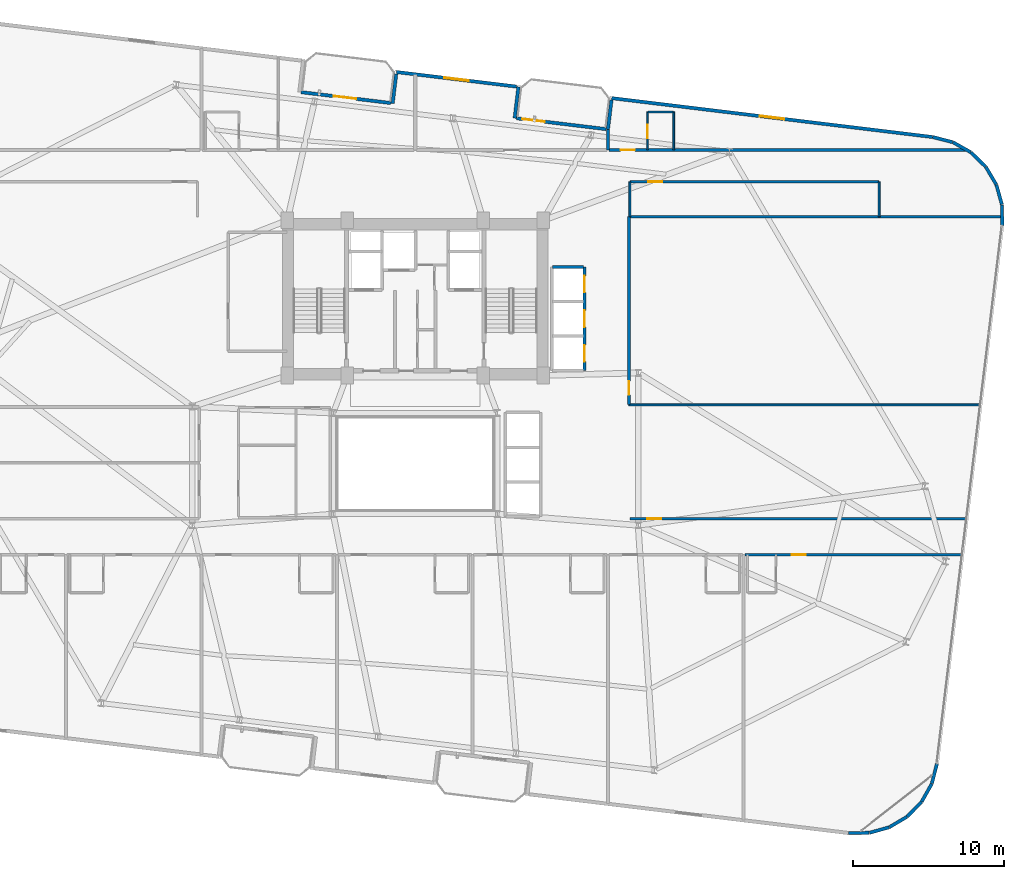
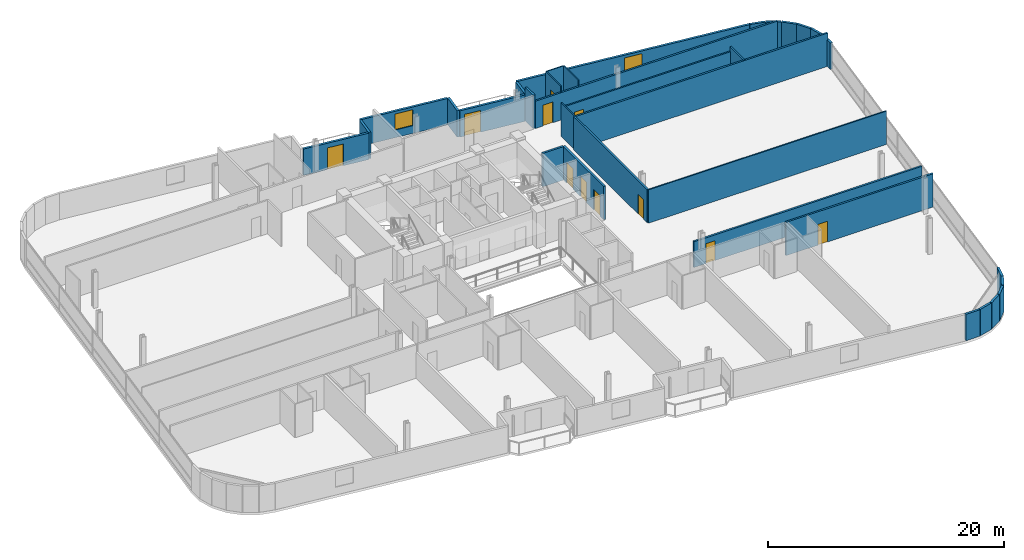
# One storey, part 23 of 26: 34 walls, 11 doors, 2 windows, 13 openings.
"""IFC4 building model written with IfcOpenShell, lengths in metres."""

from ifc_helpers import new_model, si_unit, direction, frame, frame_2d, origin, place, context, subcontext, project, spatial, rectangle, extrude, material, layer, layer_set, type_object, element, fill, save


model = new_model("IFC4")

# Units and contexts
model_context = context("Model", 3, precision=1e-05, world=origin(), true_north=direction((0.0, 1.0)))
body_context = subcontext(model_context, "Body", "Model", "MODEL_VIEW")
ifc_project = project(units=[si_unit("LENGTHUNIT", "METRE"), si_unit("AREAUNIT", "SQUARE_METRE"), si_unit("VOLUMEUNIT", "CUBIC_METRE"), si_unit("PLANEANGLEUNIT", "RADIAN"), si_unit("MASSUNIT", "GRAM", prefix="KILO")], contexts=[model_context])

# Site, building, storey
site_placement = place(None, origin())
site = spatial("IfcSite", under=ifc_project, at=site_placement, CompositionType="ELEMENT")
building_placement = place(site_placement, origin())
building = spatial("IfcBuilding", under=site, at=building_placement, Name="Varnelok Gate Tower", CompositionType="ELEMENT")
storey_placement = place(building_placement, frame((0.0, 0.0, 151.300048828125)))
storey = spatial("IfcBuildingStorey", under=building, at=storey_placement, Name="L38", CompositionType="ELEMENT", Elevation=151.300048828125)

# Wall, opening, door
ifc_material_1 = material(Name="Concrete C45/55", Category="concrete")
ifc_layer_1 = layer(ifc_material_1, 0.219970703125)
ifc_layer_set_1 = layer_set([ifc_layer_1], Name="Concrete C45/55")
wall_type_1 = type_object("IfcWallType", Name="EW-BALC-220", PredefinedType="SOLIDWALL", material=ifc_layer_set_1)
wall_1_placement = place(storey_placement, frame((31.624267578125, 47.5634765625, 0.0), z_axis=(0.0, 0.0, 1.0), x_axis=(0.992729951822, -0.120362962556, 0.0)))
wall_1 = element("IfcWall", 1, at=wall_1_placement, inside=storey, type_object=wall_type_1, Name="L38 North Terrace Envelope Wall 3", PredefinedType="SOLIDWALL", context=body_context, shape_type="SweptSolid", body=[
    extrude(rectangle(XDim=6.0, YDim=0.219970703125, at=frame_2d((3.0, 0.0))), origin(), (0.0, 0.0, 1.0), 2.72998046875),
])
opening_1_placement = place(wall_1_placement, frame((2.176025390625, 0.0, 0.0)))
opening_1 = element("IfcOpeningElement", 2, at=opening_1_placement, cuts=wall_1, Name="Opening BD-1", PredefinedType="OPENING", context=body_context, shape_type="SweptSolid", body=[
    extrude(rectangle(XDim=1.5, YDim=2.25, at=frame_2d((0.75, 1.125))), frame((0.0, 0.119873046875, 0.0), z_axis=(0.0, -1.0, 0.0), x_axis=(1.0, 0.0, 0.0)), (0.0, 0.0, 1.0), 0.239990234375),
])
ifc_material_2 = material(Name="Anodized Aluminum Alloy 6063-T6", Category="aluminium")
door_type_1 = type_object("IfcDoorType", Name="DR-EXT-BALC1500", OperationType="NOTDEFINED", PredefinedType="DOOR", material=ifc_material_2)
door_1_placement = place(opening_1_placement, origin())
door_1 = element("IfcDoor", 3, at=door_1_placement, inside=storey, type_object=door_type_1, Name="L38 North Balcony Glazed Door 3", OperationType="SINGLE_SWING_RIGHT", OverallHeight=2.25, OverallWidth=1.5, PredefinedType="DOOR", context=body_context, shape_type="SweptSolid", body=[
    extrude(rectangle(XDim=1.5, YDim=2.25, at=frame_2d((0.75, 1.125))), frame((0.0, 0.02490234375, 0.0), z_axis=(0.0, -1.0, 0.0), x_axis=(1.0, 0.0, 0.0)), (0.0, 0.0, 1.0), 0.050048828125),
])
fill(opening_1, door_1)

wall_2_placement = place(storey_placement, frame((45.919677734375, 45.83056640625, 0.0), z_axis=(0.0, 0.0, 1.0), x_axis=(0.992729951822, -0.120362962556, 0.0)))
wall_2 = element("IfcWall", 4, at=wall_2_placement, inside=storey, type_object=wall_type_1, Name="L38 North Terrace Envelope Wall 4", PredefinedType="SOLIDWALL", context=body_context, shape_type="SweptSolid", body=[
    extrude(rectangle(XDim=6.0, YDim=0.219970703125, at=frame_2d((3.0, 0.0))), origin(), (0.0, 0.0, 1.0), 2.72998046875),
])
opening_2_placement = place(wall_2_placement, frame((0.39990234375, 0.0, 0.0)))
opening_2 = element("IfcOpeningElement", 5, at=opening_2_placement, cuts=wall_2, Name="Opening BD-1", PredefinedType="OPENING", context=body_context, shape_type="SweptSolid", body=[
    extrude(rectangle(XDim=1.5, YDim=2.25, at=frame_2d((0.75, 1.125))), frame((0.0, 0.119873046875, 0.0), z_axis=(0.0, -1.0, 0.0), x_axis=(1.0, 0.0, 0.0)), (0.0, 0.0, 1.0), 0.239990234375),
])
door_2_placement = place(opening_2_placement, origin())
door_2 = element("IfcDoor", 6, at=door_2_placement, inside=storey, type_object=door_type_1, Name="L38 North Balcony Glazed Door 4", OperationType="SINGLE_SWING_LEFT", OverallHeight=2.25, OverallWidth=1.5, PredefinedType="DOOR", context=body_context, shape_type="SweptSolid", body=[
    extrude(rectangle(XDim=1.5, YDim=2.25, at=frame_2d((0.75, 1.125))), frame((0.0, 0.02490234375, 0.0), z_axis=(0.0, -1.0, 0.0), x_axis=(1.0, 0.0, 0.0)), (0.0, 0.0, 1.0), 0.050048828125),
])
fill(opening_2, door_2)

# Walls
wall_3_placement = place(storey_placement, frame((67.984375, -1.63671875, 0.0), z_axis=(0.0, 0.0, 1.0), x_axis=(0.999945887077, 0.010403024475, 0.0)))
element("IfcWall", 7, at=wall_3_placement, inside=storey, type_object=wall_type_1, Name="L38 Perimeter Facade Closure Wall 14", PredefinedType="SOLIDWALL", context=body_context, shape_type="SweptSolid", body=[
    extrude(rectangle(XDim=1.361083984375, YDim=0.219970703125, at=frame_2d((0.6806640625, 0.0))), origin(), (0.0, 0.0, 1.0), 2.72998046875),
])
wall_4_placement = place(storey_placement, frame((69.369384765625, -1.615966796875, 0.0), z_axis=(0.0, 0.0, 1.0), x_axis=(0.963194128812, 0.268806752562, 0.0)))
element("IfcWall", 8, at=wall_4_placement, inside=storey, type_object=wall_type_1, Name="L38 Perimeter Facade Closure Wall 15", PredefinedType="SOLIDWALL", context=body_context, shape_type="SweptSolid", body=[
    extrude(rectangle(XDim=1.353271484375, YDim=0.219970703125, at=frame_2d((0.6767578125, 0.0))), origin(), (0.0, 0.0, 1.0), 2.72998046875),
])
for number, where, z_axis, x_axis, name in (
    (9, (70.6943359375, -1.239501953125, 0.0), (0.0, 0.0, 1.0), (0.860865455241, 0.508832652228, 0.0), "L38 Perimeter Facade Closure Wall 16"),
    (10, (71.876708984375, -0.533203125, 0.0), (0.0, 0.0, 1.0), (0.69976104234, 0.714376989847, 0.0), "L38 Perimeter Facade Closure Wall 17"),
    (11, (72.835693359375, 0.455078125, 0.0), (0.0, 0.0, 1.0), (0.491117621399, 0.871093268227, 0.0), "L38 Perimeter Facade Closure Wall 18"),
):
    element("IfcWall", number, at=place(storey_placement, frame(where, z_axis=z_axis, x_axis=x_axis)), inside=storey, type_object=wall_type_1, Name=name, PredefinedType="SOLIDWALL", context=body_context, shape_type="SweptSolid", body=[
        extrude(rectangle(XDim=1.35302734375, YDim=0.219970703125, at=frame_2d((0.676513671875, 0.0))), origin(), (0.0, 0.0, 1.0), 2.72998046875),
    ])
wall_5_placement = place(storey_placement, frame((73.506591796875, 1.658203125, 0.0), z_axis=(0.0, 0.0, 1.0), x_axis=(0.248857256909, 0.968540172468, 0.0)))
element("IfcWall", 12, at=wall_5_placement, inside=storey, type_object=wall_type_1, Name="L38 Perimeter Facade Closure Wall 19", PredefinedType="SOLIDWALL", context=body_context, shape_type="SweptSolid", body=[
    extrude(rectangle(XDim=1.352783203125, YDim=0.219970703125, at=frame_2d((0.67626953125, 0.0))), origin(), (0.0, 0.0, 1.0), 2.72998046875),
])
wall_6_placement = place(storey_placement, frame((78.175537109375, 38.706787109375, 0.0), z_axis=(0.0, 0.0, 1.0), x_axis=(-0.010096916637, 0.999949024838, 0.0)))
element("IfcWall", 13, at=wall_6_placement, inside=storey, type_object=wall_type_1, Name="L38 Perimeter Facade Closure Wall 20", PredefinedType="SOLIDWALL", context=body_context, shape_type="SweptSolid", body=[
    extrude(rectangle(XDim=1.378173828125, YDim=0.219970703125, at=frame_2d((0.68896484375, 0.0))), origin(), (0.0, 0.0, 1.0), 2.72998046875),
])
wall_7_placement = place(storey_placement, frame((78.15478515625, 40.10888671875, 0.0), z_axis=(0.0, 0.0, 1.0), x_axis=(-0.268639368869, 0.963240826322, 0.0)))
element("IfcWall", 14, at=wall_7_placement, inside=storey, type_object=wall_type_1, Name="L38 Perimeter Facade Closure Wall 21", PredefinedType="SOLIDWALL", context=body_context, shape_type="SweptSolid", body=[
    extrude(rectangle(XDim=1.353271484375, YDim=0.219970703125, at=frame_2d((0.6767578125, 0.0))), origin(), (0.0, 0.0, 1.0), 2.72998046875),
])
for number, where, z_axis, x_axis, name in (
    (15, (77.7783203125, 41.433837890625, 0.0), (0.0, 0.0, 1.0), (-0.508698913794, 0.860944490142, 0.0), "L38 Perimeter Facade Closure Wall 22"),
    (16, (77.072265625, 42.6162109375, 0.0), (0.0, 0.0, 1.0), (-0.714376989847, 0.69976104234, 0.0), "L38 Perimeter Facade Closure Wall 23"),
    (17, (76.083740234375, 43.5751953125, 0.0), (0.0, 0.0, 1.0), (-0.871093268227, 0.491117621399, 0.0), "L38 Perimeter Facade Closure Wall 24"),
):
    element("IfcWall", number, at=place(storey_placement, frame(where, z_axis=z_axis, x_axis=x_axis)), inside=storey, type_object=wall_type_1, Name=name, PredefinedType="SOLIDWALL", context=body_context, shape_type="SweptSolid", body=[
        extrude(rectangle(XDim=1.35302734375, YDim=0.219970703125, at=frame_2d((0.676513671875, 0.0))), origin(), (0.0, 0.0, 1.0), 2.72998046875),
    ])
wall_8_placement = place(storey_placement, frame((74.880859375, 44.24609375, 0.0), z_axis=(0.0, 0.0, 1.0), x_axis=(-0.968549775063, 0.248819881091, 0.0)))
element("IfcWall", 18, at=wall_8_placement, inside=storey, type_object=wall_type_1, Name="L38 Perimeter Facade Closure Wall 25", PredefinedType="SOLIDWALL", context=body_context, shape_type="SweptSolid", body=[
    extrude(rectangle(XDim=1.36083984375, YDim=0.219970703125, at=frame_2d((0.680419921875, 0.0))), origin(), (0.0, 0.0, 1.0), 2.72998046875),
])

# Wall, opening, window
wall_9_placement = place(storey_placement, frame((73.537841796875, 44.587890625, 0.0), z_axis=(0.0, 0.0, 1.0), x_axis=(-0.992733493583, 0.120333747213, 0.0)))
wall_9 = element("IfcWall", 19, at=wall_9_placement, inside=storey, type_object=wall_type_1, Name="L38 Perimeter Facade Closure Wall 26", PredefinedType="SOLIDWALL", context=body_context, shape_type="SweptSolid", body=[
    extrude(rectangle(XDim=21.447021484375, YDim=0.219970703125, at=frame_2d((10.7236328125, 0.0))), origin(), (0.0, 0.0, 1.0), 2.72998046875),
])
opening_3_placement = place(wall_9_placement, frame((9.898681640625, 0.0, 0.800048828125)))
opening_3 = element("IfcOpeningElement", 20, at=opening_3_placement, cuts=wall_9, Name="Opening WN3", PredefinedType="OPENING", context=body_context, shape_type="SweptSolid", body=[
    extrude(rectangle(XDim=1.64990234375, YDim=1.64990234375, at=frame_2d((0.824951171875, 0.824951171875))), frame((0.0, 0.119873046875, 0.0), z_axis=(0.0, -1.0, 0.0), x_axis=(1.0, 0.0, 0.0)), (0.0, 0.0, 1.0), 0.239990234375),
])
ifc_material_3 = material(Name="Low-E Laminated Double Glazing IGU", Category="glass")
window_type = type_object("IfcWindowType", Name="WN-HTL-1650", PartitioningType="SINGLE_PANEL", PredefinedType="WINDOW", material=ifc_material_3)
window_1_placement = place(opening_3_placement, origin())
window_1 = element("IfcWindow", 21, at=window_1_placement, inside=storey, type_object=window_type, Name="L38 Perimeter Vision Window 26", OverallHeight=1.64990234375, OverallWidth=1.64990234375, PartitioningType="SINGLE_PANEL", PredefinedType="WINDOW", context=body_context, shape_type="SweptSolid", body=[
    extrude(rectangle(XDim=1.64990234375, YDim=1.64990234375, at=frame_2d((0.824951171875, 0.824951171875))), frame((0.0, 0.030029296875, 0.0), z_axis=(0.0, -1.0, 0.0), x_axis=(1.0, 0.0, 0.0)), (0.0, 0.0, 1.0), 0.06005859375),
])
fill(opening_3, window_1)

# Walls
wall_10_placement = place(storey_placement, frame((52.2314453125, 47.044677734375, 0.0), z_axis=(0.0, 0.0, 1.0), x_axis=(-0.120275992932, -0.992740492538, 0.0)))
element("IfcWall", 22, at=wall_10_placement, inside=storey, type_object=wall_type_1, Name="L38 Perimeter Facade Closure Wall 27", PredefinedType="SOLIDWALL", context=body_context, shape_type="SweptSolid", body=[
    extrude(rectangle(XDim=1.97509765625, YDim=0.219970703125, at=frame_2d((0.987548828125, 0.0))), origin(), (0.0, 0.0, 1.0), 2.72998046875),
])
wall_11_placement = place(storey_placement, frame((45.79931640625, 45.8349609375, 0.0), z_axis=(0.0, 0.0, 1.0), x_axis=(0.120314009587, 0.992735885871, 0.0)))
element("IfcWall", 23, at=wall_11_placement, inside=storey, type_object=wall_type_1, Name="L38 Perimeter Facade Closure Wall 28", PredefinedType="SOLIDWALL", context=body_context, shape_type="SweptSolid", body=[
    extrude(rectangle(XDim=2.10009765625, YDim=0.219970703125, at=frame_2d((1.050048828125, 0.0))), origin(), (0.0, 0.0, 1.0), 2.72998046875),
])

# Wall, opening, window
wall_12_placement = place(storey_placement, frame((45.927734375, 47.934814453125, 0.0), z_axis=(0.0, 0.0, 1.0), x_axis=(-0.992730591876, 0.120357683402, 0.0)))
wall_12 = element("IfcWall", 24, at=wall_12_placement, inside=storey, type_object=wall_type_1, Name="L38 Perimeter Facade Closure Wall 29", PredefinedType="SOLIDWALL", context=body_context, shape_type="SweptSolid", body=[
    extrude(rectangle(XDim=8.03466796875, YDim=0.219970703125, at=frame_2d((4.017333984375, 0.0))), origin(), (0.0, 0.0, 1.0), 2.72998046875),
])
opening_4_placement = place(wall_12_placement, frame((3.1923828125, 0.0, 0.800048828125)))
opening_4 = element("IfcOpeningElement", 25, at=opening_4_placement, cuts=wall_12, Name="Opening WN3", PredefinedType="OPENING", context=body_context, shape_type="SweptSolid", body=[
    extrude(rectangle(XDim=1.64990234375, YDim=1.64990234375, at=frame_2d((0.824951171875, 0.824951171875))), frame((0.0, 0.119873046875, 0.0), z_axis=(0.0, -1.0, 0.0), x_axis=(1.0, 0.0, 0.0)), (0.0, 0.0, 1.0), 0.239990234375),
])
window_2_placement = place(opening_4_placement, origin())
window_2 = element("IfcWindow", 26, at=window_2_placement, inside=storey, type_object=window_type, Name="L38 Perimeter Vision Window 29", OverallHeight=1.64990234375, OverallWidth=1.64990234375, PartitioningType="SINGLE_PANEL", PredefinedType="WINDOW", context=body_context, shape_type="SweptSolid", body=[
    extrude(rectangle(XDim=1.64990234375, YDim=1.64990234375, at=frame_2d((0.824951171875, 0.824951171875))), frame((0.0, 0.030029296875, 0.0), z_axis=(0.0, -1.0, 0.0), x_axis=(1.0, 0.0, 0.0)), (0.0, 0.0, 1.0), 0.06005859375),
])
fill(opening_4, window_2)

# Wall
wall_13_placement = place(storey_placement, frame((37.936279296875, 48.777587890625, 0.0), z_axis=(0.0, 0.0, 1.0), x_axis=(-0.120397815541, -0.992725725472, 0.0)))
element("IfcWall", 27, at=wall_13_placement, inside=storey, type_object=wall_type_1, Name="L38 Perimeter Facade Closure Wall 30", PredefinedType="SOLIDWALL", context=body_context, shape_type="SweptSolid", body=[
    extrude(rectangle(XDim=1.97509765625, YDim=0.219970703125, at=frame_2d((0.987548828125, 0.0))), origin(), (0.0, 0.0, 1.0), 2.72998046875),
])

# Wall, opening, door
ifc_material_4 = material(Name="Gypsum Plasterboard Acoustic Partition", Category="gypsum")
ifc_layer_2 = layer(ifc_material_4, 0.179931640625)
ifc_layer_set_2 = layer_set([ifc_layer_2], Name="Gypsum Plasterboard Acoustic Partition")
wall_type_2 = type_object("IfcWallType", Name="PW-CORR-180", PredefinedType="PARTITIONING", material=ifc_layer_set_2)
wall_14_placement = place(storey_placement, frame((61.080078125, 16.85009765625, 0.0), z_axis=(0.0, 0.0, 1.0), x_axis=(1.0, 0.0, 0.0)))
wall_14 = element("IfcWall", 28, at=wall_14_placement, inside=storey, type_object=wall_type_2, Name="Interior Partition", PredefinedType="PARTITIONING", context=body_context, shape_type="SweptSolid", body=[
    extrude(rectangle(XDim=14.38671875, YDim=0.179931640625, at=frame_2d((7.193359375, 0.0))), origin(), (0.0, 0.0, 1.0), 3.449951171875),
])
opening_5_placement = place(wall_14_placement, frame((3.110107421875, 0.0, 0.0)))
opening_5 = element("IfcOpeningElement", 29, at=opening_5_placement, cuts=wall_14, Name="Opening D-HT", PredefinedType="OPENING", context=body_context, shape_type="SweptSolid", body=[
    extrude(rectangle(XDim=0.949951171875, YDim=2.14990234375, at=frame_2d((0.47509765625, 1.074951171875))), frame((0.0, 0.099853515625, 0.0), z_axis=(0.0, -1.0, 0.0), x_axis=(1.0, 0.0, 0.0)), (0.0, 0.0, 1.0), 0.199951171875),
])
ifc_material_5 = material(Name="Engineered Hardwood Timber", Category="wood")
door_type_2 = type_object("IfcDoorType", Name="DR-HTL-950", OperationType="NOTDEFINED", PredefinedType="DOOR", material=ifc_material_5)
door_3_placement = place(opening_5_placement, origin())
door_3 = element("IfcDoor", 30, at=door_3_placement, inside=storey, type_object=door_type_2, Name="L38 Guest Room 07 Entrance Door", OperationType="SINGLE_SWING_RIGHT", OverallHeight=2.14990234375, OverallWidth=0.949951171875, PredefinedType="DOOR", context=body_context, shape_type="SweptSolid", body=[
    extrude(rectangle(XDim=0.949951171875, YDim=2.14990234375, at=frame_2d((0.47509765625, 1.074951171875))), frame((0.0, 0.02490234375, 0.0), z_axis=(0.0, -1.0, 0.0), x_axis=(1.0, 0.0, 0.0)), (0.0, 0.0, 1.0), 0.050048828125),
])
fill(opening_5, door_3)

wall_15_placement = place(storey_placement, frame((52.080078125, 43.72998046875, 0.0), z_axis=(0.0, 0.0, 1.0), x_axis=(1.0, 0.0, 0.0)))
wall_15 = element("IfcWall", 31, at=wall_15_placement, inside=storey, type_object=wall_type_2, Name="Interior Partition", PredefinedType="PARTITIONING", context=body_context, shape_type="SweptSolid", body=[
    extrude(rectangle(XDim=23.689208984375, YDim=0.179931640625, at=frame_2d((11.8447265625, 0.0))), origin(), (0.0, 0.0, 1.0), 2.823974609375),
])
opening_6_placement = place(wall_15_placement, frame((0.75634765625, 0.0, 0.0)))
opening_6 = element("IfcOpeningElement", 32, at=opening_6_placement, cuts=wall_15, Name="Opening D-HT", PredefinedType="OPENING", context=body_context, shape_type="SweptSolid", body=[
    extrude(rectangle(XDim=0.949951171875, YDim=2.14990234375, at=frame_2d((0.47509765625, 1.074951171875))), frame((0.0, 0.099853515625, 0.0), z_axis=(0.0, -1.0, 0.0), x_axis=(1.0, 0.0, 0.0)), (0.0, 0.0, 1.0), 0.199951171875),
])
door_4_placement = place(opening_6_placement, origin())
door_4 = element("IfcDoor", 33, at=door_4_placement, inside=storey, type_object=door_type_2, Name="L38 Guest Room 11 Entrance Door", OperationType="SINGLE_SWING_RIGHT", OverallHeight=2.14990234375, OverallWidth=0.949951171875, PredefinedType="DOOR", context=body_context, shape_type="SweptSolid", body=[
    extrude(rectangle(XDim=0.949951171875, YDim=2.14990234375, at=frame_2d((0.47509765625, 1.074951171875))), frame((0.0, 0.02490234375, 0.0), z_axis=(0.0, -1.0, 0.0), x_axis=(1.0, 0.0, 0.0)), (0.0, 0.0, 1.0), 0.050048828125),
])
fill(opening_6, door_4)

wall_16_placement = place(storey_placement, frame((53.449951171875, 19.239990234375, 0.0), z_axis=(0.0, 0.0, 1.0), x_axis=(1.0, 0.0, 0.0)))
wall_16 = element("IfcWall", 34, at=wall_16_placement, inside=storey, type_object=wall_type_2, Name="Interior Partition", PredefinedType="PARTITIONING", context=body_context, shape_type="SweptSolid", body=[
    extrude(rectangle(XDim=22.306640625, YDim=0.179931640625, at=frame_2d((11.1533203125, 0.0))), origin(), (0.0, 0.0, 1.0), 2.661865234375),
])
opening_7_placement = place(wall_16_placement, frame((1.14990234375, 0.0, 0.0)))
opening_7 = element("IfcOpeningElement", 35, at=opening_7_placement, cuts=wall_16, Name="Opening D-I3", PredefinedType="OPENING", context=body_context, shape_type="SweptSolid", body=[
    extrude(rectangle(XDim=0.919921875, YDim=2.050048828125, at=frame_2d((0.4599609375, 1.02490234375))), frame((0.0, 0.099853515625, 0.0), z_axis=(0.0, -1.0, 0.0), x_axis=(1.0, 0.0, 0.0)), (0.0, 0.0, 1.0), 0.199951171875),
])
door_type_3 = type_object("IfcDoorType", Name="DR-INT-920", OperationType="NOTDEFINED", PredefinedType="DOOR", material=ifc_material_5)
door_5_placement = place(opening_7_placement, origin())
door_5 = element("IfcDoor", 36, at=door_5_placement, inside=storey, type_object=door_type_3, Name="L38 East Studio Door", OperationType="SINGLE_SWING_LEFT", OverallHeight=2.050048828125, OverallWidth=0.919921875, PredefinedType="DOOR", context=body_context, shape_type="SweptSolid", body=[
    extrude(rectangle(XDim=0.919921875, YDim=2.050048828125, at=frame_2d((0.4599609375, 1.02490234375))), frame((0.0, 0.02490234375, 0.0), z_axis=(0.0, -1.0, 0.0), x_axis=(1.0, 0.0, 0.0)), (0.0, 0.0, 1.0), 0.050048828125),
])
fill(opening_7, door_5)

wall_17_placement = place(storey_placement, frame((53.389892578125, 26.840087890625, 0.0), z_axis=(0.0, 0.0, 1.0), x_axis=(0.0, 1.0, 0.0)))
wall_17 = element("IfcWall", 37, at=wall_17_placement, inside=storey, type_object=wall_type_2, Name="Interior Partition", PredefinedType="PARTITIONING", context=body_context, shape_type="SweptSolid", body=[
    extrude(rectangle(XDim=12.4599609375, YDim=0.179931640625, at=frame_2d((6.22998046875, 0.0))), origin(), (0.0, 0.0, 1.0), 3.449951171875),
])
opening_8_placement = place(wall_17_placement, frame((0.6181640625, 0.0, 0.0)))
opening_8 = element("IfcOpeningElement", 38, at=opening_8_placement, cuts=wall_17, Name="Opening D-I3", PredefinedType="OPENING", context=body_context, shape_type="SweptSolid", body=[
    extrude(rectangle(XDim=0.919921875, YDim=2.050048828125, at=frame_2d((0.4599609375, 1.02490234375))), frame((0.0, 0.099853515625, 0.0), z_axis=(0.0, -1.0, 0.0), x_axis=(1.0, 0.0, 0.0)), (0.0, 0.0, 1.0), 0.199951171875),
])
door_6_placement = place(opening_8_placement, origin())
door_6 = element("IfcDoor", 39, at=door_6_placement, inside=storey, type_object=door_type_3, Name="L38 East Playroom Door", OperationType="SINGLE_SWING_LEFT", OverallHeight=2.050048828125, OverallWidth=0.919921875, PredefinedType="DOOR", context=body_context, shape_type="SweptSolid", body=[
    extrude(rectangle(XDim=0.919921875, YDim=2.050048828125, at=frame_2d((0.4599609375, 1.02490234375))), frame((0.0, 0.02490234375, 0.0), z_axis=(0.0, -1.0, 0.0), x_axis=(1.0, 0.0, 0.0)), (0.0, 0.0, 1.0), 0.050048828125),
])
fill(opening_8, door_6)

# Walls
wall_18_placement = place(storey_placement, frame((53.389892578125, 39.300048828125, 0.0), z_axis=(0.0, 0.0, 1.0), x_axis=(1.0, 0.0, 0.0)))
element("IfcWall", 40, at=wall_18_placement, inside=storey, type_object=wall_type_2, Name="Interior Partition", PredefinedType="PARTITIONING", context=body_context, shape_type="SweptSolid", body=[
    extrude(rectangle(XDim=24.73974609375, YDim=0.179931640625, at=frame_2d((12.369873046875, 0.0))), origin(), (0.0, 0.0, 1.0), 3.449951171875),
])
ifc_layer_3 = layer(ifc_material_4, 0.114990234375)
ifc_layer_set_3 = layer_set([ifc_layer_3], Name="Gypsum Plasterboard Acoustic Partition")
wall_type_3 = type_object("IfcWallType", Name="PW-ENS-125", PredefinedType="PARTITIONING", material=ifc_layer_set_3)
wall_19_placement = place(storey_placement, frame((54.669921875, 46.25, 0.0), z_axis=(0.0, 0.0, 1.0), x_axis=(1.0, 0.0, 0.0)))
element("IfcWall", 41, at=wall_19_placement, inside=storey, type_object=wall_type_3, Name="Interior Partition", PredefinedType="PARTITIONING", context=body_context, shape_type="SweptSolid", body=[
    extrude(rectangle(XDim=1.650146484375, YDim=0.114990234375, at=frame_2d((0.8251953125, 0.0))), origin(), (0.0, 0.0, 1.0), 3.449951171875),
])

# Wall, opening, door
wall_20_placement = place(storey_placement, frame((54.6298828125, 43.72998046875, 0.0), z_axis=(0.0, 0.0, 1.0), x_axis=(0.0, 1.0, 0.0)))
wall_20 = element("IfcWall", 42, at=wall_20_placement, inside=storey, type_object=wall_type_3, Name="Interior Partition", PredefinedType="PARTITIONING", context=body_context, shape_type="SweptSolid", body=[
    extrude(rectangle(XDim=2.52001953125, YDim=0.114990234375, at=frame_2d((1.260009765625, 0.0))), origin(), (0.0, 0.0, 1.0), 3.449951171875),
])
opening_9_placement = place(wall_20_placement, frame((0.760009765625, 0.0, 0.0)))
opening_9 = element("IfcOpeningElement", 43, at=opening_9_placement, cuts=wall_20, Name="Opening D-WC", PredefinedType="OPENING", context=body_context, shape_type="SweptSolid", body=[
    extrude(rectangle(XDim=0.89990234375, YDim=2.050048828125, at=frame_2d((0.449951171875, 1.02490234375))), frame((0.0, 0.0673828125, 0.0), z_axis=(0.0, -1.0, 0.0), x_axis=(1.0, 0.0, 0.0)), (0.0, 0.0, 1.0), 0.135009765625),
])
door_type_4 = type_object("IfcDoorType", Name="DR-BATH-900", OperationType="NOTDEFINED", PredefinedType="DOOR", material=ifc_material_5)
door_7_placement = place(opening_9_placement, origin())
door_7 = element("IfcDoor", 44, at=door_7_placement, inside=storey, type_object=door_type_4, Name="L38 North En-Suite 11 Door", OperationType="SINGLE_SWING_LEFT", OverallHeight=2.050048828125, OverallWidth=0.89990234375, PredefinedType="DOOR", context=body_context, shape_type="SweptSolid", body=[
    extrude(rectangle(XDim=0.89990234375, YDim=2.050048828125, at=frame_2d((0.449951171875, 1.02490234375))), frame((0.0, 0.02490234375, 0.0), z_axis=(0.0, -1.0, 0.0), x_axis=(1.0, 0.0, 0.0)), (0.0, 0.0, 1.0), 0.050048828125),
])
fill(opening_9, door_7)

# Walls
wall_21_placement = place(storey_placement, frame((56.360107421875, 43.72998046875, 0.0), z_axis=(0.0, 0.0, 1.0), x_axis=(0.0, 1.0, 0.0)))
element("IfcWall", 45, at=wall_21_placement, inside=storey, type_object=wall_type_3, Name="Interior Partition", PredefinedType="PARTITIONING", context=body_context, shape_type="SweptSolid", body=[
    extrude(rectangle(XDim=2.52001953125, YDim=0.114990234375, at=frame_2d((1.260009765625, 0.0))), origin(), (0.0, 0.0, 1.0), 3.449951171875),
])
ifc_layer_4 = layer(ifc_material_4, 0.125)
ifc_layer_set_4 = layer_set([ifc_layer_4], Name="Gypsum Plasterboard Acoustic Partition")
wall_type_4 = type_object("IfcWallType", Name="PW-PART-125", PredefinedType="PARTITIONING", material=ifc_layer_set_4)
for number, where, z_axis, x_axis, name in (
    (46, (53.449951171875, 39.300048828125, 0.0), (0.0, 0.0, 1.0), (0.0, 1.0, 0.0), "Interior Partition"),
    (47, (70.0, 39.300048828125, 0.0), (0.0, 0.0, 1.0), (0.0, 1.0, 0.0), "Interior Partition"),
):
    element("IfcWall", number, at=place(storey_placement, frame(where, z_axis=z_axis, x_axis=x_axis)), inside=storey, type_object=wall_type_4, Name=name, PredefinedType="PARTITIONING", context=body_context, shape_type="SweptSolid", body=[
        extrude(rectangle(XDim=2.31005859375, YDim=0.125, at=frame_2d((1.155029296875, 0.0))), origin(), (0.0, 0.0, 1.0), 3.449951171875),
    ])
wall_22_placement = place(storey_placement, frame((53.389892578125, 26.800048828125, 0.0), z_axis=(0.0, 0.0, 1.0), x_axis=(1.0, 0.0, 0.0)))
element("IfcWall", 48, at=wall_22_placement, inside=storey, type_object=wall_type_4, Name="Interior Partition", PredefinedType="PARTITIONING", context=body_context, shape_type="SweptSolid", body=[
    extrude(rectangle(XDim=23.283203125, YDim=0.125, at=frame_2d((11.6416015625, 0.0))), origin(), (0.0, 0.0, 1.0), 3.449951171875),
])

# Wall, opening, door
ifc_layer_5 = layer(ifc_material_4, 0.14990234375)
ifc_layer_set_5 = layer_set([ifc_layer_5], Name="Gypsum Plasterboard Acoustic Partition")
wall_type_5 = type_object("IfcWallType", Name="PW-PART-150", PredefinedType="PARTITIONING", material=ifc_layer_set_5)
wall_23_placement = place(storey_placement, frame((53.449951171875, 41.610107421875, 0.0), z_axis=(0.0, 0.0, 1.0), x_axis=(1.0, 0.0, 0.0)))
wall_23 = element("IfcWall", 49, at=wall_23_placement, inside=storey, type_object=wall_type_5, Name="Interior Partition", PredefinedType="PARTITIONING", context=body_context, shape_type="SweptSolid", body=[
    extrude(rectangle(XDim=16.550048828125, YDim=0.14990234375, at=frame_2d((8.27490234375, 0.0))), origin(), (0.0, 0.0, 1.0), 2.971923828125),
])
opening_10_placement = place(wall_23_placement, frame((1.219970703125, 0.0, 0.0)))
opening_10 = element("IfcOpeningElement", 50, at=opening_10_placement, cuts=wall_23, Name="Opening D-I3", PredefinedType="OPENING", context=body_context, shape_type="SweptSolid", body=[
    extrude(rectangle(XDim=0.919921875, YDim=2.050048828125, at=frame_2d((0.4599609375, 1.02490234375))), frame((0.0, 0.0849609375, 0.0), z_axis=(0.0, -1.0, 0.0), x_axis=(1.0, 0.0, 0.0)), (0.0, 0.0, 1.0), 0.169921875),
])
door_8_placement = place(opening_10_placement, origin())
door_8 = element("IfcDoor", 51, at=door_8_placement, inside=storey, type_object=door_type_3, Name="L38 North Study 2 Door", OperationType="SINGLE_SWING_RIGHT", OverallHeight=2.050048828125, OverallWidth=0.919921875, PredefinedType="DOOR", context=body_context, shape_type="SweptSolid", body=[
    extrude(rectangle(XDim=0.919921875, YDim=2.050048828125, at=frame_2d((0.4599609375, 1.02490234375))), frame((0.0, 0.02490234375, 0.0), z_axis=(0.0, -1.0, 0.0), x_axis=(1.0, 0.0, 0.0)), (0.0, 0.0, 1.0), 0.050048828125),
])
fill(opening_10, door_8)

# Walls
ifc_layer_6 = layer(ifc_material_4, 0.205078125)
ifc_layer_set_6 = layer_set([ifc_layer_6], Name="Gypsum Plasterboard Acoustic Partition")
wall_type_6 = type_object("IfcWallType", Name="PW-PARTY-200", PredefinedType="PARTITIONING", material=ifc_layer_set_6)
wall_24_placement = place(storey_placement, frame((52.0, 43.72998046875, 0.0), z_axis=(0.0, 0.0, 1.0), x_axis=(0.0, 1.0, 0.0)))
element("IfcWall", 52, at=wall_24_placement, inside=storey, type_object=wall_type_6, Name="L38 North Party Wall 3", PredefinedType="PARTITIONING", context=body_context, shape_type="SweptSolid", body=[
    extrude(rectangle(XDim=1.353515625, YDim=0.205078125, at=frame_2d((0.6767578125, 0.0))), origin(), (0.0, 0.0, 1.0), 3.449951171875),
])
ifc_material_6 = material(Name="Concrete C35/45", Category="concrete")
ifc_layer_7 = layer(ifc_material_6, 0.199951171875)
ifc_layer_set_7 = layer_set([ifc_layer_7], Name="Concrete C35/45")
wall_type_7 = type_object("IfcWallType", Name="PW-SHAFT-200", PredefinedType="PARTITIONING", material=ifc_layer_set_7)
wall_25_placement = place(storey_placement, frame((48.320068359375, 35.969970703125, 0.0), z_axis=(0.0, 0.0, 1.0), x_axis=(1.0, 0.0, 0.0)))
element("IfcWall", 53, at=wall_25_placement, inside=storey, type_object=wall_type_7, Name="L38 PM Bank North Wall", PredefinedType="PARTITIONING", context=body_context, shape_type="SweptSolid", body=[
    extrude(rectangle(XDim=2.059814453125, YDim=0.199951171875, at=frame_2d((1.02978515625, 0.0))), origin(), (0.0, 0.0, 1.0), 3.449951171875),
])

# Wall, openings, doors
wall_26_placement = place(storey_placement, frame((50.43994140625, 29.080078125, 0.0), z_axis=(0.0, 0.0, 1.0), x_axis=(0.0, 1.0, 0.0)))
wall_26 = element("IfcWall", 54, at=wall_26_placement, inside=storey, type_object=wall_type_7, Name="L38 PM Bank Front Wall", PredefinedType="PARTITIONING", context=body_context, shape_type="SweptSolid", body=[
    extrude(rectangle(XDim=6.889892578125, YDim=0.199951171875, at=frame_2d((3.44482421875, 0.0))), origin(), (0.0, 0.0, 1.0), 3.449951171875),
])
opening_11_placement = place(wall_26_placement, frame((0.590087890625, 0.0, 0.0)))
opening_11 = element("IfcOpeningElement", 55, at=opening_11_placement, cuts=wall_26, Name="Opening LD-PM1", PredefinedType="OPENING", context=body_context, shape_type="SweptSolid", body=[
    extrude(rectangle(XDim=1.10009765625, YDim=2.14990234375, at=frame_2d((0.550048828125, 1.074951171875))), frame((0.0, 0.10986328125, 0.0), z_axis=(0.0, -1.0, 0.0), x_axis=(1.0, 0.0, 0.0)), (0.0, 0.0, 1.0), 0.219970703125),
])
opening_12_placement = place(wall_26_placement, frame((2.889892578125, 0.0, 0.0)))
opening_12 = element("IfcOpeningElement", 56, at=opening_12_placement, cuts=wall_26, Name="Opening LD-PM2", PredefinedType="OPENING", context=body_context, shape_type="SweptSolid", body=[
    extrude(rectangle(XDim=1.10009765625, YDim=2.14990234375, at=frame_2d((0.550048828125, 1.074951171875))), frame((0.0, 0.10986328125, 0.0), z_axis=(0.0, -1.0, 0.0), x_axis=(1.0, 0.0, 0.0)), (0.0, 0.0, 1.0), 0.219970703125),
])
opening_13_placement = place(wall_26_placement, frame((5.18994140625, 0.0, 0.0)))
opening_13 = element("IfcOpeningElement", 57, at=opening_13_placement, cuts=wall_26, Name="Opening LD-PM3", PredefinedType="OPENING", context=body_context, shape_type="SweptSolid", body=[
    extrude(rectangle(XDim=1.10009765625, YDim=2.14990234375, at=frame_2d((0.550048828125, 1.074951171875))), frame((0.0, 0.10986328125, 0.0), z_axis=(0.0, -1.0, 0.0), x_axis=(1.0, 0.0, 0.0)), (0.0, 0.0, 1.0), 0.219970703125),
])
ifc_material_7 = material(Name="Galvanized Steel Grade S350GD", Category="steel")
door_type_5 = type_object("IfcDoorType", Name="DR-LIFT-PAX1100", OperationType="SLIDING_TO_LEFT", PredefinedType="DOOR", material=ifc_material_7)
door_9_placement = place(opening_11_placement, origin())
door_9 = element("IfcDoor", 58, at=door_9_placement, inside=storey, type_object=door_type_5, Name="L38 Passenger Lift Landing Door LD-PM1", OperationType="SLIDING_TO_LEFT", OverallHeight=2.14990234375, OverallWidth=1.10009765625, PredefinedType="DOOR", context=body_context, shape_type="SweptSolid", body=[
    extrude(rectangle(XDim=1.10009765625, YDim=2.14990234375, at=frame_2d((0.550048828125, 1.074951171875))), frame((0.0, 0.02490234375, 0.0), z_axis=(0.0, -1.0, 0.0), x_axis=(1.0, 0.0, 0.0)), (0.0, 0.0, 1.0), 0.050048828125),
])
fill(opening_11, door_9)
door_10_placement = place(opening_12_placement, origin())
door_10 = element("IfcDoor", 59, at=door_10_placement, inside=storey, type_object=door_type_5, Name="L38 Passenger Lift Landing Door LD-PM2", OperationType="SLIDING_TO_LEFT", OverallHeight=2.14990234375, OverallWidth=1.10009765625, PredefinedType="DOOR", context=body_context, shape_type="SweptSolid", body=[
    extrude(rectangle(XDim=1.10009765625, YDim=2.14990234375, at=frame_2d((0.550048828125, 1.074951171875))), frame((0.0, 0.02490234375, 0.0), z_axis=(0.0, -1.0, 0.0), x_axis=(1.0, 0.0, 0.0)), (0.0, 0.0, 1.0), 0.050048828125),
])
fill(opening_12, door_10)
door_11_placement = place(opening_13_placement, origin())
door_11 = element("IfcDoor", 60, at=door_11_placement, inside=storey, type_object=door_type_5, Name="L38 Passenger Lift Landing Door LD-PM3", OperationType="SLIDING_TO_LEFT", OverallHeight=2.14990234375, OverallWidth=1.10009765625, PredefinedType="DOOR", context=body_context, shape_type="SweptSolid", body=[
    extrude(rectangle(XDim=1.10009765625, YDim=2.14990234375, at=frame_2d((0.550048828125, 1.074951171875))), frame((0.0, 0.02490234375, 0.0), z_axis=(0.0, -1.0, 0.0), x_axis=(1.0, 0.0, 0.0)), (0.0, 0.0, 1.0), 0.050048828125),
])
fill(opening_13, door_11)

save(model, "model.ifc")
